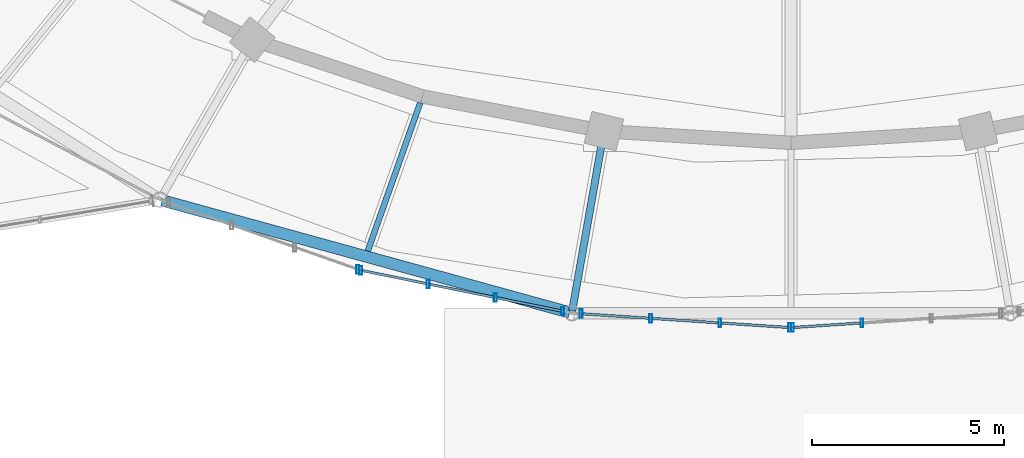
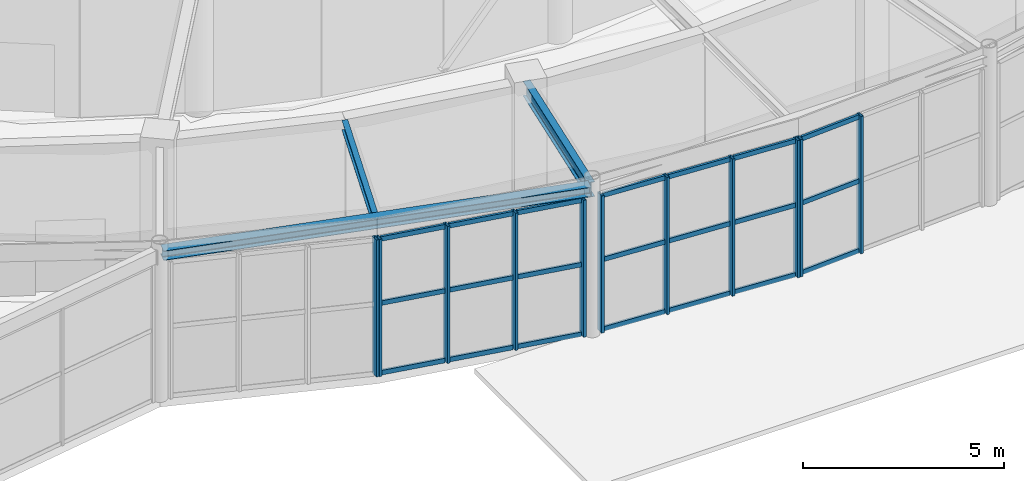
# One storey, part 33 of 100: 32 members, 3 beams, 4 elements without a shape of their own.
"""IFC4 building model written with IfcOpenShell, lengths in metres."""

from ifc_helpers import new_model, si_unit, direction, frame, origin, origin_2d, place, context, subcontext, project, spatial, hollow_rectangle, i_section, extrude, material, material_profile, profile_set, type_object, element, aggregate, save


model = new_model("IFC4")

# Units and contexts
model_context = context("Model", 3, precision=1e-05, world=origin(), true_north=direction((0.0, 1.0)))
body_context = subcontext(model_context, "Body", "Model", "MODEL_VIEW")
ifc_project = project(units=[si_unit("LENGTHUNIT", "METRE"), si_unit("AREAUNIT", "SQUARE_METRE"), si_unit("VOLUMEUNIT", "CUBIC_METRE"), si_unit("PLANEANGLEUNIT", "RADIAN"), si_unit("MASSUNIT", "GRAM", prefix="KILO")], contexts=[model_context])

# Site, building, storey
site_placement = place(None, origin())
site = spatial("IfcSite", under=ifc_project, at=site_placement, CompositionType="ELEMENT")
building_placement = place(site_placement, origin())
building = spatial("IfcBuilding", under=site, at=building_placement, Name="Tarnveldt Headland Concert Hall", CompositionType="ELEMENT")
storey_placement = place(building_placement, frame((0.0, 0.0, 4.800048828125)))
storey = spatial("IfcBuildingStorey", under=building, at=storey_placement, Name="L01", CompositionType="ELEMENT", Elevation=4.800048828125)

# Curtain wall, member
ifc_material_1 = material(Name="Marine-anodised aluminium EN AW-6063-T6", Category="aluminium")
curtain_wall_type = type_object("IfcCurtainWallType", Name="CW-F2", PredefinedType="NOTDEFINED", material=ifc_material_1)
curtain_wall_1_placement = place(storey_placement, origin())
curtain_wall_1 = element("IfcCurtainWall", 1, at=curtain_wall_1_placement, inside=storey, type_object=curtain_wall_type, Name="Curtain wall CW-L01-049", PredefinedType="NOTDEFINED")
ifc_material_profile_1 = material_profile(ifc_material_1, hollow_rectangle(XDim=0.074951171875, YDim=0.219970703125, WallThickness=0.0048828125, at=origin_2d()), Name="ALU MULLION 75x220x5", Category="aluminium")
ifc_profile_set_1 = profile_set([ifc_material_profile_1], Name="Marine-anodised aluminium EN AW-6063-T6")
member_type_1 = type_object("IfcMemberType", Name="ML-200", PredefinedType="MULLION", material=ifc_profile_set_1)
member_1_placement = place(storey_placement, frame((72.243896484375, 31.208984375, 0.0), z_axis=(0.0, 0.0, 1.0), x_axis=(1.0, 0.0, 0.0)))
member_1 = element("IfcMember", 2, at=member_1_placement, type_object=member_type_1, Name="Mullion CW-L01-049-4", PredefinedType="MULLION", context=body_context, shape_type="SweptSolid", body=[
    extrude(hollow_rectangle(XDim=0.074951171875, YDim=0.219970703125, WallThickness=0.0048828125, at=origin_2d()), origin(), (0.0, 0.0, 1.0), 4.159912109375),
])
aggregate(curtain_wall_1, [member_1])

# Curtain wall, members
curtain_wall_2_placement = place(storey_placement, origin())
curtain_wall_2 = element("IfcCurtainWall", 3, at=curtain_wall_2_placement, inside=storey, type_object=curtain_wall_type, Name="Curtain wall CW-L01-050", PredefinedType="NOTDEFINED")
member_2_placement = place(storey_placement, frame((72.32080078125, 31.187744140625, 0.0), z_axis=(0.0, 0.0, 1.0), x_axis=(1.0, 0.0, 0.0)))
member_2 = element("IfcMember", 4, at=member_2_placement, type_object=member_type_1, Name="Mullion CW-L01-050-1", PredefinedType="MULLION", context=body_context, shape_type="SweptSolid", body=[
    extrude(hollow_rectangle(XDim=0.074951171875, YDim=0.219970703125, WallThickness=0.0048828125, at=origin_2d()), origin(), (0.0, 0.0, 1.0), 4.159912109375),
])
member_3_placement = place(storey_placement, frame((74.069091796875, 30.83349609375, 0.0), z_axis=(0.0, 0.0, 1.0), x_axis=(1.0, 0.0, 0.0)))
member_3 = element("IfcMember", 5, at=member_3_placement, type_object=member_type_1, Name="Mullion CW-L01-050-2", PredefinedType="MULLION", context=body_context, shape_type="SweptSolid", body=[
    extrude(hollow_rectangle(XDim=0.074951171875, YDim=0.219970703125, WallThickness=0.0048828125, at=origin_2d()), origin(), (0.0, 0.0, 1.0), 4.159912109375),
])
member_4_placement = place(storey_placement, frame((75.817626953125, 30.479248046875, 0.0), z_axis=(0.0, 0.0, 1.0), x_axis=(1.0, 0.0, 0.0)))
member_4 = element("IfcMember", 6, at=member_4_placement, type_object=member_type_1, Name="Mullion CW-L01-050-3", PredefinedType="MULLION", context=body_context, shape_type="SweptSolid", body=[
    extrude(hollow_rectangle(XDim=0.074951171875, YDim=0.219970703125, WallThickness=0.0048828125, at=origin_2d()), origin(), (0.0, 0.0, 1.0), 4.159912109375),
])
member_5_placement = place(storey_placement, frame((77.56591796875, 30.125, 0.0), z_axis=(0.0, 0.0, 1.0), x_axis=(1.0, 0.0, 0.0)))
member_5 = element("IfcMember", 7, at=member_5_placement, type_object=member_type_1, Name="Mullion CW-L01-050-4", PredefinedType="MULLION", context=body_context, shape_type="SweptSolid", body=[
    extrude(hollow_rectangle(XDim=0.074951171875, YDim=0.219970703125, WallThickness=0.0048828125, at=origin_2d()), origin(), (0.0, 0.0, 1.0), 4.159912109375),
])

curtain_wall_3_placement = place(storey_placement, origin())
curtain_wall_3 = element("IfcCurtainWall", 8, at=curtain_wall_3_placement, inside=storey, type_object=curtain_wall_type, Name="Curtain wall CW-L01-051", PredefinedType="NOTDEFINED")
member_6_placement = place(storey_placement, frame((78.047119140625, 30.060791015625, 0.0), z_axis=(0.0, 0.0, 1.0), x_axis=(1.0, 0.0, 0.0)))
member_6 = element("IfcMember", 9, at=member_6_placement, type_object=member_type_1, Name="Mullion CW-L01-051-1", PredefinedType="MULLION", context=body_context, shape_type="SweptSolid", body=[
    extrude(hollow_rectangle(XDim=0.074951171875, YDim=0.219970703125, WallThickness=0.0048828125, at=origin_2d()), origin(), (0.0, 0.0, 1.0), 4.159912109375),
])
member_7_placement = place(storey_placement, frame((79.851318359375, 29.94140625, 0.0), z_axis=(0.0, 0.0, 1.0), x_axis=(1.0, 0.0, 0.0)))
member_7 = element("IfcMember", 10, at=member_7_placement, type_object=member_type_1, Name="Mullion CW-L01-051-2", PredefinedType="MULLION", context=body_context, shape_type="SweptSolid", body=[
    extrude(hollow_rectangle(XDim=0.074951171875, YDim=0.219970703125, WallThickness=0.0048828125, at=origin_2d()), origin(), (0.0, 0.0, 1.0), 4.159912109375),
])
member_8_placement = place(storey_placement, frame((81.65576171875, 29.822021484375, 0.0), z_axis=(0.0, 0.0, 1.0), x_axis=(1.0, 0.0, 0.0)))
member_8 = element("IfcMember", 11, at=member_8_placement, type_object=member_type_1, Name="Mullion CW-L01-051-3", PredefinedType="MULLION", context=body_context, shape_type="SweptSolid", body=[
    extrude(hollow_rectangle(XDim=0.074951171875, YDim=0.219970703125, WallThickness=0.0048828125, at=origin_2d()), origin(), (0.0, 0.0, 1.0), 4.159912109375),
])
member_9_placement = place(storey_placement, frame((83.460205078125, 29.70263671875, 0.0), z_axis=(0.0, 0.0, 1.0), x_axis=(1.0, 0.0, 0.0)))
member_9 = element("IfcMember", 12, at=member_9_placement, type_object=member_type_1, Name="Mullion CW-L01-051-4", PredefinedType="MULLION", context=body_context, shape_type="SweptSolid", body=[
    extrude(hollow_rectangle(XDim=0.074951171875, YDim=0.219970703125, WallThickness=0.0048828125, at=origin_2d()), origin(), (0.0, 0.0, 1.0), 4.159912109375),
])

curtain_wall_4_placement = place(storey_placement, origin())
curtain_wall_4 = element("IfcCurtainWall", 13, at=curtain_wall_4_placement, inside=storey, type_object=curtain_wall_type, Name="Curtain wall CW-L01-052", PredefinedType="NOTDEFINED")
member_10_placement = place(storey_placement, frame((83.539794921875, 29.70263671875, 0.0), z_axis=(0.0, 0.0, 1.0), x_axis=(1.0, 0.0, 0.0)))
member_10 = element("IfcMember", 14, at=member_10_placement, type_object=member_type_1, Name="Mullion CW-L01-052-1", PredefinedType="MULLION", context=body_context, shape_type="SweptSolid", body=[
    extrude(hollow_rectangle(XDim=0.074951171875, YDim=0.219970703125, WallThickness=0.0048828125, at=origin_2d()), origin(), (0.0, 0.0, 1.0), 4.159912109375),
])
member_11_placement = place(storey_placement, frame((85.34423828125, 29.822021484375, 0.0), z_axis=(0.0, 0.0, 1.0), x_axis=(1.0, 0.0, 0.0)))
member_11 = element("IfcMember", 15, at=member_11_placement, type_object=member_type_1, Name="Mullion CW-L01-052-2", PredefinedType="MULLION", context=body_context, shape_type="SweptSolid", body=[
    extrude(hollow_rectangle(XDim=0.074951171875, YDim=0.219970703125, WallThickness=0.0048828125, at=origin_2d()), origin(), (0.0, 0.0, 1.0), 4.159912109375),
])

# Beams
ifc_material_2 = material(Name="Steel S355", Category="steel")
ifc_material_profile_2 = material_profile(ifc_material_2, i_section(OverallWidth=0.300048828125, OverallDepth=0.2900390625, WebThickness=0.008544921875, FlangeThickness=0.013916015625, FilletRadius=0.027099609375, at=origin_2d()), Name="HEA300", Category="steel")
ifc_profile_set_2 = profile_set([ifc_material_profile_2], Name="Steel S355")
beam_type_1 = type_object("IfcBeamType", Name="SB-HEA300", PredefinedType="SPANDREL", material=ifc_profile_set_2)
beam_1_placement = place(storey_placement, frame((67.15771484375, 33.006591796875, 4.39501953125), z_axis=(0.964161617091, -0.265315616065, 0.0), x_axis=(0.265315616065, 0.964161617091, 0.0)))
element("IfcBeam", 16, at=beam_1_placement, inside=storey, type_object=beam_type_1, Name="Framing beam L01-714", PredefinedType="SPANDREL", context=body_context, shape_type="SweptSolid", body=[
    extrude(i_section(OverallWidth=0.300048828125, OverallDepth=0.2900390625, WebThickness=0.008544921875, FlangeThickness=0.013916015625, FilletRadius=0.027099609375, at=origin_2d()), origin(), (0.0, 0.0, 1.0), 10.982421875),
])
ifc_material_profile_3 = material_profile(ifc_material_2, i_section(OverallWidth=0.14990234375, OverallDepth=0.300048828125, WebThickness=0.007080078125, FlangeThickness=0.0107421875, FilletRadius=0.014892578125, at=origin_2d()), Name="IPE300", Category="steel")
ifc_profile_set_3 = profile_set([ifc_material_profile_3], Name="Steel S355")
beam_type_2 = type_object("IfcBeamType", Name="SB-IPE300", PredefinedType="JOIST", material=ifc_profile_set_3)
beam_2_placement = place(storey_placement, frame((73.864990234375, 35.541015625, 4.389892578125), z_axis=(-0.33369553072, -0.942680907188, 0.0), x_axis=(0.942680907188, -0.33369553072, 0.0)))
element("IfcBeam", 17, at=beam_2_placement, inside=storey, type_object=beam_type_2, Name="Framing beam L01-716", PredefinedType="JOIST", context=body_context, shape_type="SweptSolid", body=[
    extrude(i_section(OverallWidth=0.14990234375, OverallDepth=0.300048828125, WebThickness=0.007080078125, FlangeThickness=0.0107421875, FilletRadius=0.014892578125, at=origin_2d()), origin(), (0.0, 0.0, 1.0), 4.083984375),
])
ifc_material_profile_4 = material_profile(ifc_material_2, i_section(OverallWidth=0.18994140625, OverallDepth=0.449951171875, WebThickness=0.009521484375, FlangeThickness=0.0146484375, FilletRadius=0.02099609375, at=origin_2d()), Name="IPE450", Category="steel")
ifc_profile_set_4 = profile_set([ifc_material_profile_4], Name="Steel S355")
beam_type_3 = type_object("IfcBeamType", Name="SB-IPE450", PredefinedType="BEAM", material=ifc_profile_set_4)
beam_3_placement = place(storey_placement, frame((78.631103515625, 34.764404296875, 4.31494140625), z_axis=(-0.173708285572, -0.984797152475, 0.0), x_axis=(0.984797152475, -0.173708285572, 0.0)))
element("IfcBeam", 18, at=beam_3_placement, inside=storey, type_object=beam_type_3, Name="Framing beam L01-718", PredefinedType="BEAM", context=body_context, shape_type="SweptSolid", body=[
    extrude(i_section(OverallWidth=0.18994140625, OverallDepth=0.449951171875, WebThickness=0.009521484375, FlangeThickness=0.0146484375, FilletRadius=0.02099609375, at=origin_2d()), origin(), (0.0, 0.0, 1.0), 4.699951171875),
])

# Member
ifc_material_profile_5 = material_profile(ifc_material_1, hollow_rectangle(XDim=0.06494140625, YDim=0.139892578125, WallThickness=0.00390625, at=origin_2d()), Name="ALU TRANSOM 65x140x4", Category="aluminium")
ifc_profile_set_5 = profile_set([ifc_material_profile_5], Name="Marine-anodised aluminium EN AW-6063-T6")
member_type_2 = type_object("IfcMemberType", Name="TR-140", PredefinedType="MEMBER", material=ifc_profile_set_5)
member_12_placement = place(storey_placement, frame((72.369384765625, 31.177978515625, 0.050048828125), z_axis=(0.980070264474, -0.198651143198, 0.0), x_axis=(0.198651143198, 0.980070264474, 0.0)))
member_12 = element("IfcMember", 19, at=member_12_placement, type_object=member_type_2, Name="Transom CW-L01-050-1-1", PredefinedType="MEMBER", context=body_context, shape_type="SweptSolid", body=[
    extrude(hollow_rectangle(XDim=0.06494140625, YDim=0.139892578125, WallThickness=0.00390625, at=origin_2d()), origin(), (0.0, 0.0, 1.0), 1.68505859375),
])

member_13_placement = place(storey_placement, frame((72.369384765625, 31.177978515625, 2.1630859375), z_axis=(0.980070264474, -0.198651143198, 0.0), x_axis=(0.198651143198, 0.980070264474, 0.0)))
member_13 = element("IfcMember", 20, at=member_13_placement, type_object=member_type_2, Name="Transom CW-L01-050-1-2", PredefinedType="MEMBER", context=body_context, shape_type="SweptSolid", body=[
    extrude(hollow_rectangle(XDim=0.06494140625, YDim=0.139892578125, WallThickness=0.00390625, at=origin_2d()), origin(), (0.0, 0.0, 1.0), 1.68505859375),
])

member_14_placement = place(storey_placement, frame((72.369384765625, 31.177978515625, 4.10986328125), z_axis=(0.980070264474, -0.198651143198, 0.0), x_axis=(0.198651143198, 0.980070264474, 0.0)))
member_14 = element("IfcMember", 21, at=member_14_placement, type_object=member_type_2, Name="Transom CW-L01-050-1-3", PredefinedType="MEMBER", context=body_context, shape_type="SweptSolid", body=[
    extrude(hollow_rectangle(XDim=0.06494140625, YDim=0.139892578125, WallThickness=0.00390625, at=origin_2d()), origin(), (0.0, 0.0, 1.0), 1.68505859375),
])

member_15_placement = place(storey_placement, frame((74.11767578125, 30.82373046875, 0.050048828125), z_axis=(0.980070264474, -0.198651143198, 0.0), x_axis=(0.198651143198, 0.980070264474, 0.0)))
member_15 = element("IfcMember", 22, at=member_15_placement, type_object=member_type_2, Name="Transom CW-L01-050-2-1", PredefinedType="MEMBER", context=body_context, shape_type="SweptSolid", body=[
    extrude(hollow_rectangle(XDim=0.06494140625, YDim=0.139892578125, WallThickness=0.00390625, at=origin_2d()), origin(), (0.0, 0.0, 1.0), 1.68505859375),
])

member_16_placement = place(storey_placement, frame((74.11767578125, 30.82373046875, 2.1630859375), z_axis=(0.980070264474, -0.198651143198, 0.0), x_axis=(0.198651143198, 0.980070264474, 0.0)))
member_16 = element("IfcMember", 23, at=member_16_placement, type_object=member_type_2, Name="Transom CW-L01-050-2-2", PredefinedType="MEMBER", context=body_context, shape_type="SweptSolid", body=[
    extrude(hollow_rectangle(XDim=0.06494140625, YDim=0.139892578125, WallThickness=0.00390625, at=origin_2d()), origin(), (0.0, 0.0, 1.0), 1.68505859375),
])

member_17_placement = place(storey_placement, frame((74.11767578125, 30.82373046875, 4.10986328125), z_axis=(0.980070264474, -0.198651143198, 0.0), x_axis=(0.198651143198, 0.980070264474, 0.0)))
member_17 = element("IfcMember", 24, at=member_17_placement, type_object=member_type_2, Name="Transom CW-L01-050-2-3", PredefinedType="MEMBER", context=body_context, shape_type="SweptSolid", body=[
    extrude(hollow_rectangle(XDim=0.06494140625, YDim=0.139892578125, WallThickness=0.00390625, at=origin_2d()), origin(), (0.0, 0.0, 1.0), 1.68505859375),
])

member_18_placement = place(storey_placement, frame((75.8662109375, 30.469482421875, 0.050048828125), z_axis=(0.980092754065, -0.19854015571, 0.0), x_axis=(0.19854015571, 0.980092754065, 0.0)))
member_18 = element("IfcMember", 25, at=member_18_placement, type_object=member_type_2, Name="Transom CW-L01-050-3-1", PredefinedType="MEMBER", context=body_context, shape_type="SweptSolid", body=[
    extrude(hollow_rectangle(XDim=0.06494140625, YDim=0.139892578125, WallThickness=0.00390625, at=origin_2d()), origin(), (0.0, 0.0, 1.0), 1.6845703125),
])

member_19_placement = place(storey_placement, frame((75.8662109375, 30.469482421875, 2.1630859375), z_axis=(0.980092754065, -0.19854015571, 0.0), x_axis=(0.19854015571, 0.980092754065, 0.0)))
member_19 = element("IfcMember", 26, at=member_19_placement, type_object=member_type_2, Name="Transom CW-L01-050-3-2", PredefinedType="MEMBER", context=body_context, shape_type="SweptSolid", body=[
    extrude(hollow_rectangle(XDim=0.06494140625, YDim=0.139892578125, WallThickness=0.00390625, at=origin_2d()), origin(), (0.0, 0.0, 1.0), 1.6845703125),
])

member_20_placement = place(storey_placement, frame((75.8662109375, 30.469482421875, 4.10986328125), z_axis=(0.980092754065, -0.19854015571, 0.0), x_axis=(0.19854015571, 0.980092754065, 0.0)))
member_20 = element("IfcMember", 27, at=member_20_placement, type_object=member_type_2, Name="Transom CW-L01-050-3-3", PredefinedType="MEMBER", context=body_context, shape_type="SweptSolid", body=[
    extrude(hollow_rectangle(XDim=0.06494140625, YDim=0.139892578125, WallThickness=0.00390625, at=origin_2d()), origin(), (0.0, 0.0, 1.0), 1.6845703125),
])

aggregate(curtain_wall_2, [member_2, member_3, member_4, member_5, member_12, member_13, member_14, member_15, member_16, member_17, member_18, member_19, member_20])

member_21_placement = place(storey_placement, frame((78.096435546875, 30.057373046875, 0.050048828125), z_axis=(0.997820408488, -0.065988123207, 0.0), x_axis=(0.065988123207, 0.997820408488, 0.0)))
member_21 = element("IfcMember", 28, at=member_21_placement, type_object=member_type_2, Name="Transom CW-L01-051-1-1", PredefinedType="MEMBER", context=body_context, shape_type="SweptSolid", body=[
    extrude(hollow_rectangle(XDim=0.06494140625, YDim=0.139892578125, WallThickness=0.00390625, at=origin_2d()), origin(), (0.0, 0.0, 1.0), 1.709228515625),
])

member_22_placement = place(storey_placement, frame((78.096435546875, 30.057373046875, 2.1630859375), z_axis=(0.997820408488, -0.065988123207, 0.0), x_axis=(0.065988123207, 0.997820408488, 0.0)))
member_22 = element("IfcMember", 29, at=member_22_placement, type_object=member_type_2, Name="Transom CW-L01-051-1-2", PredefinedType="MEMBER", context=body_context, shape_type="SweptSolid", body=[
    extrude(hollow_rectangle(XDim=0.06494140625, YDim=0.139892578125, WallThickness=0.00390625, at=origin_2d()), origin(), (0.0, 0.0, 1.0), 1.709228515625),
])

member_23_placement = place(storey_placement, frame((78.096435546875, 30.057373046875, 4.10986328125), z_axis=(0.997820408488, -0.065988123207, 0.0), x_axis=(0.065988123207, 0.997820408488, 0.0)))
member_23 = element("IfcMember", 30, at=member_23_placement, type_object=member_type_2, Name="Transom CW-L01-051-1-3", PredefinedType="MEMBER", context=body_context, shape_type="SweptSolid", body=[
    extrude(hollow_rectangle(XDim=0.06494140625, YDim=0.139892578125, WallThickness=0.00390625, at=origin_2d()), origin(), (0.0, 0.0, 1.0), 1.709228515625),
])

member_24_placement = place(storey_placement, frame((79.90087890625, 29.93798828125, 0.050048828125), z_axis=(0.997819786405, -0.06599752918, 0.0), x_axis=(0.06599752918, 0.997819786405, 0.0)))
member_24 = element("IfcMember", 31, at=member_24_placement, type_object=member_type_2, Name="Transom CW-L01-051-2-1", PredefinedType="MEMBER", context=body_context, shape_type="SweptSolid", body=[
    extrude(hollow_rectangle(XDim=0.06494140625, YDim=0.139892578125, WallThickness=0.00390625, at=origin_2d()), origin(), (0.0, 0.0, 1.0), 1.708984375),
])

member_25_placement = place(storey_placement, frame((79.90087890625, 29.93798828125, 2.1630859375), z_axis=(0.997819786405, -0.06599752918, 0.0), x_axis=(0.06599752918, 0.997819786405, 0.0)))
member_25 = element("IfcMember", 32, at=member_25_placement, type_object=member_type_2, Name="Transom CW-L01-051-2-2", PredefinedType="MEMBER", context=body_context, shape_type="SweptSolid", body=[
    extrude(hollow_rectangle(XDim=0.06494140625, YDim=0.139892578125, WallThickness=0.00390625, at=origin_2d()), origin(), (0.0, 0.0, 1.0), 1.708984375),
])

member_26_placement = place(storey_placement, frame((79.90087890625, 29.93798828125, 4.10986328125), z_axis=(0.997819786405, -0.06599752918, 0.0), x_axis=(0.06599752918, 0.997819786405, 0.0)))
member_26 = element("IfcMember", 33, at=member_26_placement, type_object=member_type_2, Name="Transom CW-L01-051-2-3", PredefinedType="MEMBER", context=body_context, shape_type="SweptSolid", body=[
    extrude(hollow_rectangle(XDim=0.06494140625, YDim=0.139892578125, WallThickness=0.00390625, at=origin_2d()), origin(), (0.0, 0.0, 1.0), 1.708984375),
])

member_27_placement = place(storey_placement, frame((81.705078125, 29.818603515625, 0.050048828125), z_axis=(0.997820408488, -0.065988123207, 0.0), x_axis=(0.065988123207, 0.997820408488, 0.0)))
member_27 = element("IfcMember", 34, at=member_27_placement, type_object=member_type_2, Name="Transom CW-L01-051-3-1", PredefinedType="MEMBER", context=body_context, shape_type="SweptSolid", body=[
    extrude(hollow_rectangle(XDim=0.06494140625, YDim=0.139892578125, WallThickness=0.00390625, at=origin_2d()), origin(), (0.0, 0.0, 1.0), 1.709228515625),
])

member_28_placement = place(storey_placement, frame((81.705078125, 29.818603515625, 2.1630859375), z_axis=(0.997820408488, -0.065988123207, 0.0), x_axis=(0.065988123207, 0.997820408488, 0.0)))
member_28 = element("IfcMember", 35, at=member_28_placement, type_object=member_type_2, Name="Transom CW-L01-051-3-2", PredefinedType="MEMBER", context=body_context, shape_type="SweptSolid", body=[
    extrude(hollow_rectangle(XDim=0.06494140625, YDim=0.139892578125, WallThickness=0.00390625, at=origin_2d()), origin(), (0.0, 0.0, 1.0), 1.709228515625),
])

member_29_placement = place(storey_placement, frame((81.705078125, 29.818603515625, 4.10986328125), z_axis=(0.997820408488, -0.065988123207, 0.0), x_axis=(0.065988123207, 0.997820408488, 0.0)))
member_29 = element("IfcMember", 36, at=member_29_placement, type_object=member_type_2, Name="Transom CW-L01-051-3-3", PredefinedType="MEMBER", context=body_context, shape_type="SweptSolid", body=[
    extrude(hollow_rectangle(XDim=0.06494140625, YDim=0.139892578125, WallThickness=0.00390625, at=origin_2d()), origin(), (0.0, 0.0, 1.0), 1.709228515625),
])

aggregate(curtain_wall_3, [member_6, member_7, member_8, member_9, member_21, member_22, member_23, member_24, member_25, member_26, member_27, member_28, member_29])

member_30_placement = place(storey_placement, frame((83.58935546875, 29.705810546875, 0.050048828125), z_axis=(0.997820408488, 0.065988123207, 0.0), x_axis=(-0.065988123207, 0.997820408488, 0.0)))
member_30 = element("IfcMember", 37, at=member_30_placement, type_object=member_type_2, Name="Transom CW-L01-052-1-1", PredefinedType="MEMBER", context=body_context, shape_type="SweptSolid", body=[
    extrude(hollow_rectangle(XDim=0.06494140625, YDim=0.139892578125, WallThickness=0.00390625, at=origin_2d()), origin(), (0.0, 0.0, 1.0), 1.709228515625),
])

member_31_placement = place(storey_placement, frame((83.58935546875, 29.705810546875, 2.1630859375), z_axis=(0.997820408488, 0.065988123207, 0.0), x_axis=(-0.065988123207, 0.997820408488, 0.0)))
member_31 = element("IfcMember", 38, at=member_31_placement, type_object=member_type_2, Name="Transom CW-L01-052-1-2", PredefinedType="MEMBER", context=body_context, shape_type="SweptSolid", body=[
    extrude(hollow_rectangle(XDim=0.06494140625, YDim=0.139892578125, WallThickness=0.00390625, at=origin_2d()), origin(), (0.0, 0.0, 1.0), 1.709228515625),
])

member_32_placement = place(storey_placement, frame((83.58935546875, 29.705810546875, 4.10986328125), z_axis=(0.997820408488, 0.065988123207, 0.0), x_axis=(-0.065988123207, 0.997820408488, 0.0)))
member_32 = element("IfcMember", 39, at=member_32_placement, type_object=member_type_2, Name="Transom CW-L01-052-1-3", PredefinedType="MEMBER", context=body_context, shape_type="SweptSolid", body=[
    extrude(hollow_rectangle(XDim=0.06494140625, YDim=0.139892578125, WallThickness=0.00390625, at=origin_2d()), origin(), (0.0, 0.0, 1.0), 1.709228515625),
])

aggregate(curtain_wall_4, [member_10, member_11, member_30, member_31, member_32])

save(model, "model.ifc")
